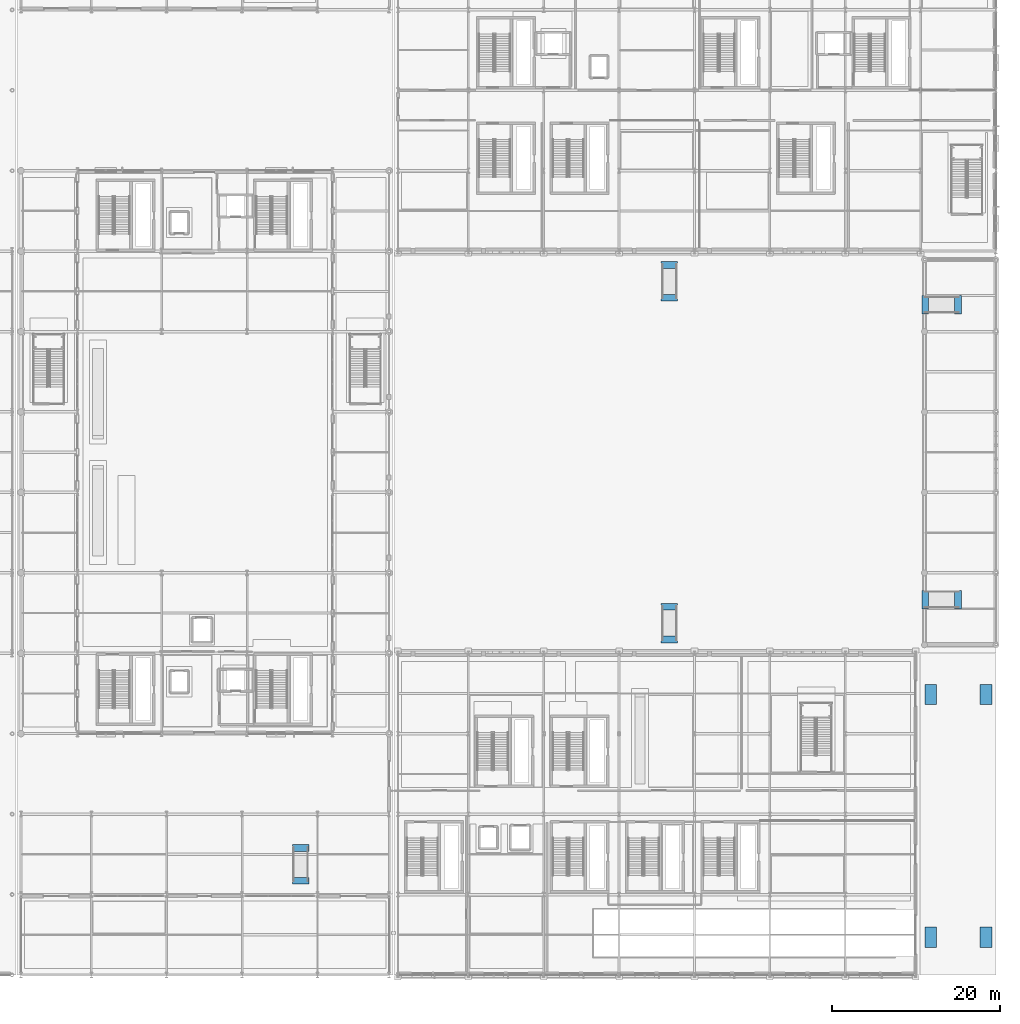
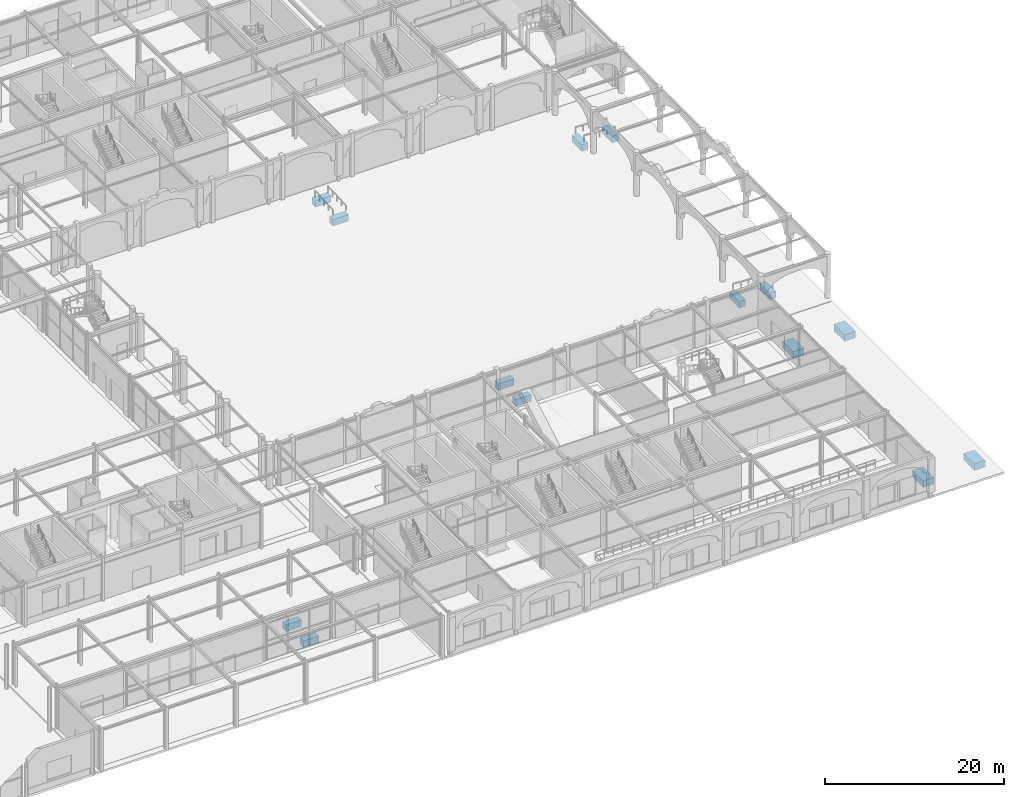
# One storey, part 1 of 113: 14 footings.
"""IFC4 building model written with IfcOpenShell, lengths in metres."""

from ifc_helpers import new_model, si_unit, direction, frame, origin, origin_2d, place, context, subcontext, project, spatial, rectangle, extrude, material, type_object, element, save


model = new_model("IFC4")

# Units and contexts
model_context = context("Model", 3, precision=1e-05, world=origin(), true_north=direction((0.0, 1.0)))
body_context = subcontext(model_context, "Body", "Model", "MODEL_VIEW")
ifc_project = project(units=[si_unit("LENGTHUNIT", "METRE"), si_unit("AREAUNIT", "SQUARE_METRE"), si_unit("VOLUMEUNIT", "CUBIC_METRE"), si_unit("PLANEANGLEUNIT", "RADIAN"), si_unit("MASSUNIT", "GRAM", prefix="KILO")], contexts=[model_context])

# Site, building, storey
site_placement = place(None, origin())
site = spatial("IfcSite", under=ifc_project, at=site_placement, CompositionType="ELEMENT")
building_placement = place(site_placement, origin())
building = spatial("IfcBuilding", under=site, at=building_placement, Name="Myrtia Square Station", CompositionType="ELEMENT")
storey_placement = place(building_placement, origin())
storey = spatial("IfcBuildingStorey", under=building, at=storey_placement, Name="L00", CompositionType="ELEMENT", Elevation=0.0)

# Footings
ifc_material = material(Name="Concrete C35/45", Category="concrete")
footing_type = type_object("IfcFootingType", Name="PAD-1600x900", PredefinedType="PAD_FOOTING", material=ifc_material)
for number, where, z_axis, x_axis, name in (
    (1, (181.199951171875, 4.5, -1.14501953125), (0.0, 0.0, 1.0), (1.0, 0.0, 0.0), "Service apron foundation pad 1"),
    (2, (187.800048828125, 4.5, -1.14501953125), (0.0, 0.0, 1.0), (1.0, 0.0, 0.0), "Service apron foundation pad 2"),
    (3, (181.199951171875, 33.5, -1.14501953125), (0.0, 0.0, 1.0), (1.0, 0.0, 0.0), "Service apron foundation pad 3"),
    (4, (187.800048828125, 33.5, -1.14501953125), (0.0, 0.0, 1.0), (1.0, 0.0, 0.0), "Service apron foundation pad 4"),
):
    element("IfcFooting", number, at=place(storey_placement, frame(where, z_axis=z_axis, x_axis=x_axis)), inside=storey, type_object=footing_type, Name=name, PredefinedType="PAD_FOOTING", context=body_context, shape_type="SweptSolid", body=[
        extrude(rectangle(XDim=1.39990234375, YDim=2.39990234375, at=origin_2d()), origin(), (0.0, 0.0, 1.0), 0.89990234375),
    ])
for number, where, z_axis, x_axis, name in (
    (5, (184.449951171875, 80.0, -1.300048828125), (0.0, 0.0, 1.0), (-1.0, 0.0, 0.0), "Accessible ramp RP1 foundation F"),
    (6, (180.550048828125, 80.0, -1.099853515625), (0.0, 0.0, 1.0), (-1.0, 0.0, 0.0), "Accessible ramp RP1 foundation H"),
    (7, (184.449951171875, 44.800048828125, -1.300048828125), (0.0, 0.0, 1.0), (-1.0, 0.0, 0.0), "Accessible ramp RP2 foundation F"),
    (8, (180.550048828125, 44.800048828125, -1.099853515625), (0.0, 0.0, 1.0), (-1.0, 0.0, 0.0), "Accessible ramp RP2 foundation H"),
):
    element("IfcFooting", number, at=place(storey_placement, frame(where, z_axis=z_axis, x_axis=x_axis)), inside=storey, type_object=footing_type, Name=name, PredefinedType="PAD_FOOTING", context=body_context, shape_type="SweptSolid", body=[
        extrude(rectangle(XDim=0.800048828125, YDim=2.199951171875, at=origin_2d()), origin(), (0.0, 0.0, 1.0), 0.89990234375),
    ])
for number, where, z_axis, x_axis, name in (
    (9, (106.0, 15.14990234375, -1.300048828125), (0.0, 0.0, 1.0), (0.0, -1.0, 0.0), "Accessible ramp RP3 foundation F"),
    (10, (106.0, 11.25, -1.099853515625), (0.0, 0.0, 1.0), (0.0, -1.0, 0.0), "Accessible ramp RP3 foundation H"),
    (11, (150.0, 80.85009765625, -1.300048828125), (0.0, 0.0, 1.0), (0.0, 1.0, 0.0), "Accessible ramp RP4 foundation F"),
    (12, (150.0, 84.75, -1.099853515625), (0.0, 0.0, 1.0), (0.0, 1.0, 0.0), "Accessible ramp RP4 foundation H"),
    (13, (150.0, 43.949951171875, -1.300048828125), (0.0, 0.0, 1.0), (0.0, -1.0, 0.0), "Accessible ramp RP5 foundation F"),
    (14, (150.0, 40.050048828125, -1.099853515625), (0.0, 0.0, 1.0), (0.0, -1.0, 0.0), "Accessible ramp RP5 foundation H"),
):
    element("IfcFooting", number, at=place(storey_placement, frame(where, z_axis=z_axis, x_axis=x_axis)), inside=storey, type_object=footing_type, Name=name, PredefinedType="PAD_FOOTING", context=body_context, shape_type="SweptSolid", body=[
        extrude(rectangle(XDim=0.800048828125, YDim=2.0, at=origin_2d()), origin(), (0.0, 0.0, 1.0), 0.89990234375),
    ])

save(model, "model.ifc")
